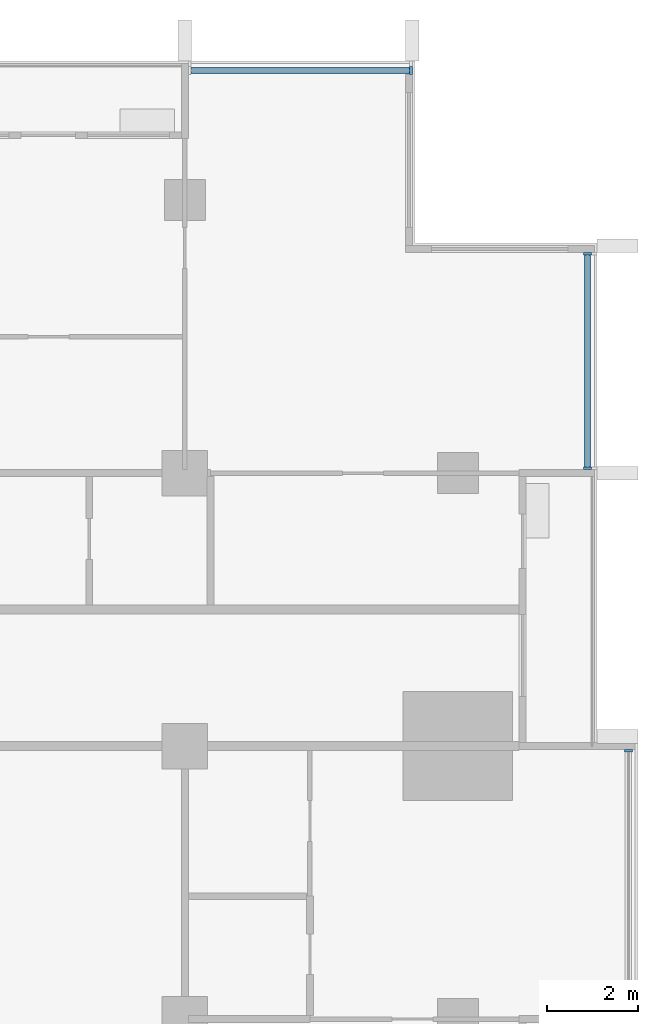
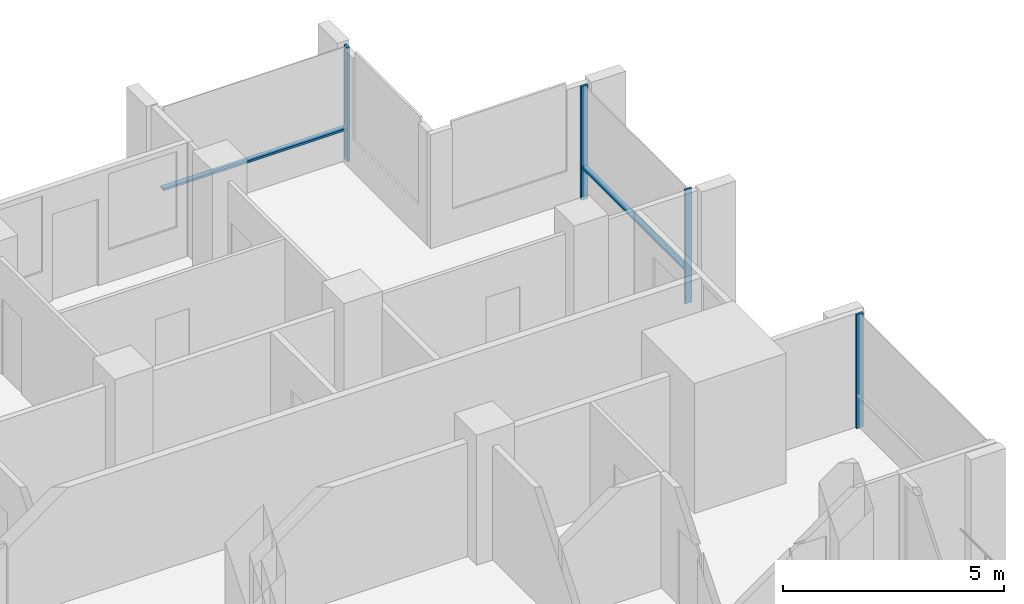
# One storey, part 5 of 17: 6 members, 3 elements without a shape of their own.
"""IFC4 building model written with IfcOpenShell, lengths in metres."""

import ifcopenshell
import ifcopenshell.guid

model = None  # the IFC model being written
_history = None  # IfcOwnerHistory: only IFC2X3 demands one
_inside = {}  # id of a spatial element -> (the spatial element, [elements in it])
_under = {}  # id of a project, library or spatial element -> (it, [spatial elements below it])
_declared = {}  # id of a project -> (the project, [libraries it declares])
_typed = {}  # id of a type object -> (the type object, [elements of that type])
_made_of = {}  # id of a material, layer set ... -> (it, [elements and type objects made of it])


def new_model(schema):
    """Start an empty IFC model of exactly this schema.

    Asked for "IFC4X3", IfcOpenShell would pick the latest addendum, in which some entities
    have other attributes; the version numbers below select the first issue.
    IFC2X3 requires an IfcOwnerHistory on every rooted entity: one is made here for all.
    """
    global model, _history
    if schema == "IFC4X3":
        model = ifcopenshell.file(schema_version=(4, 3, 0, 0))
    else:
        model = ifcopenshell.file(schema=schema)
    _inside.clear()
    _under.clear()
    _declared.clear()
    _typed.clear()
    _made_of.clear()
    _history = None
    if model.schema == "IFC2X3":
        org = make("IfcOrganization", Name="unknown")
        user = make(
            "IfcPersonAndOrganization",
            ThePerson=make("IfcPerson", FamilyName="unknown"),
            TheOrganization=org,
        )
        app = make(
            "IfcApplication",
            ApplicationDeveloper=org,
            Version="unknown",
            ApplicationFullName="unknown",
            ApplicationIdentifier="unknown",
        )
        _history = make(
            "IfcOwnerHistory",
            OwningUser=user,
            OwningApplication=app,
            ChangeAction="ADDED",
            CreationDate=0,
        )
    return model


def make(cls, **values):
    """One entity of the class cls with the attributes given. An attribute that is None is left unset."""
    return model.create_entity(
        cls, **{name: value for name, value in values.items() if value is not None}
    )


def rooted(cls, **values):
    """An entity with a GlobalId (a new one), such as an element, a storey or a relation."""
    return make(cls, GlobalId=ifcopenshell.guid.new(), OwnerHistory=_history, **values)


def si_unit(unit_type, name, prefix=None):
    """IfcSIUnit, for example si_unit("LENGTHUNIT", "METRE", prefix="MILLI")."""
    return make("IfcSIUnit", UnitType=unit_type, Prefix=prefix, Name=name)


def assignment(units):
    """IfcUnitAssignment: the units of a project."""
    return None if units is None else make("IfcUnitAssignment", Units=units)


def point(xyz):
    """IfcCartesianPoint."""
    return None if xyz is None else make("IfcCartesianPoint", Coordinates=xyz)


def direction(xyz):
    """IfcDirection."""
    return None if xyz is None else make("IfcDirection", DirectionRatios=xyz)


def frame(location, z_axis=None, x_axis=None):
    """IfcAxis2Placement3D, a coordinate frame: its origin and axes. An axis left out is left unset."""
    return make(
        "IfcAxis2Placement3D",
        Location=point(location),
        Axis=direction(z_axis),
        RefDirection=direction(x_axis),
    )


def frame_2d(location, x_axis=None):
    """IfcAxis2Placement2D, a coordinate frame in the plane: its origin and x axis."""
    return make(
        "IfcAxis2Placement2D", Location=point(location), RefDirection=direction(x_axis)
    )


def origin():
    """The frame at (0, 0, 0) with its axes left unset."""
    return frame((0.0, 0.0, 0.0))


def origin_2d():
    """The frame at (0, 0) in the plane with its x axis left unset."""
    return frame_2d((0.0, 0.0))


def place(relative_to, where):
    """IfcLocalPlacement: puts the frame where relative to a parent placement (None: the world)."""
    return make(
        "IfcLocalPlacement", PlacementRelTo=relative_to, RelativePlacement=where
    )


def context(
    kind, dimensions, precision=None, world=None, true_north=None, identifier=None
):
    """IfcGeometricRepresentationContext, for example the 3D "Model" context."""
    return make(
        "IfcGeometricRepresentationContext",
        ContextIdentifier=identifier,
        ContextType=kind,
        CoordinateSpaceDimension=dimensions,
        Precision=precision,
        WorldCoordinateSystem=world,
        TrueNorth=true_north,
    )


def subcontext(parent, identifier, kind, view, scale=None):
    """IfcGeometricRepresentationSubContext, for example "Body" below "Model"."""
    return make(
        "IfcGeometricRepresentationSubContext",
        ContextIdentifier=identifier,
        ContextType=kind,
        ParentContext=parent,
        TargetScale=scale,
        TargetView=view,
    )


def project(units=None, contexts=None):
    """IfcProject with its units and contexts."""
    return rooted(
        "IfcProject",
        Name="project",
        RepresentationContexts=contexts,
        UnitsInContext=assignment(units),
    )


def spatial(cls, under=None, at=None, **own):
    """A site, building, storey or space (cls), placed at a placement, below another one or the project."""
    s = rooted(cls, ObjectPlacement=at, **own)
    if under is not None:
        _under.setdefault(under.id(), (under, []))[1].append(s)
    return s


def profile(cls, at=None, kind="AREA", **sizes):
    """A parametric profile (cls). Its sizes go by their IFC names, for example OverallWidth=200.0."""
    return make(cls, ProfileType=kind, Position=at, **sizes)


def rectangle(**sizes):
    """IfcRectangleProfileDef."""
    return profile("IfcRectangleProfileDef", **sizes)


def extrude(swept, where, along, depth):
    """IfcExtrudedAreaSolid: the profile swept, set in the frame where, extruded along a direction by depth."""
    return make(
        "IfcExtrudedAreaSolid",
        SweptArea=swept,
        Position=where,
        ExtrudedDirection=direction(along),
        Depth=depth,
    )


def shape(context_of_items, identifier, shape_type, items):
    """IfcShapeRepresentation: the items that make up one representation, for example the "Body"."""
    return make(
        "IfcShapeRepresentation",
        ContextOfItems=context_of_items,
        RepresentationIdentifier=identifier,
        RepresentationType=shape_type,
        Items=items,
    )


def material(Name=None, Category=None):
    """IfcMaterial."""
    return make("IfcMaterial", Name=Name, Category=Category)


def material_profile(
    of_material, cross_section, Name=None, Category=None, Priority=None
):
    """IfcMaterialProfile: a cross section and its material."""
    return make(
        "IfcMaterialProfile",
        Name=Name,
        Material=of_material,
        Profile=cross_section,
        Priority=Priority,
        Category=Category,
    )


def profile_set(profiles, Name=None, composite=None):
    """IfcMaterialProfileSet."""
    return make(
        "IfcMaterialProfileSet",
        Name=Name,
        MaterialProfiles=profiles,
        CompositeProfile=composite,
    )


def made_of(thing, what):
    """Note that an element or type object is made of a material, layer set ...; save() writes the relation."""
    if what is not None:
        _made_of.setdefault(what.id(), (what, []))[1].append(thing)
    return thing


def type_object(cls, material=None, **own):
    """A type object (cls), such as IfcWallType, which elements share."""
    return made_of(rooted(cls, **own), material)


def element(
    cls,
    number,
    at=None,
    inside=None,
    cuts=None,
    type_object=None,
    material=None,
    context=None,
    identifier="Body",
    shape_type=None,
    held_by="IfcProductDefinitionShape",
    body=None,
    shapes=None,
    **own,
):
    """One element of the class cls, such as IfcWall. Its Tag is "e" and its number.

    at: its placement. inside: the storey or other place that contains it. cuts: it is an
    opening in that element (IfcRelVoidsElement). A single representation is given by context,
    identifier, shape_type and body (its items); several are given by shapes. held_by: the class
    of the entity that holds the representations. save() writes the other relations.
    """
    e = rooted(cls, Tag="e%d" % number, ObjectPlacement=at, **own)
    if body is not None:
        shapes = [shape(context, identifier, shape_type, body)]
    if shapes is not None:
        e.Representation = make(held_by, Representations=shapes)
    if inside is not None:
        _inside.setdefault(inside.id(), (inside, []))[1].append(e)
    if cuts is not None:
        rooted(
            "IfcRelVoidsElement", RelatingBuildingElement=cuts, RelatedOpeningElement=e
        )
    if type_object is not None:
        _typed.setdefault(type_object.id(), (type_object, []))[1].append(e)
    return made_of(e, material)


def aggregate(whole, parts):
    """IfcRelAggregates: a whole, such as a stair, and the parts it consists of."""
    return rooted("IfcRelAggregates", RelatingObject=whole, RelatedObjects=parts)


def save(model, path):
    """Write the relations noted so far, then the file.

    IfcRelAggregates (storeys below a building ...), IfcRelContainedInSpatialStructure (elements
    in a storey), IfcRelDefinesByType, IfcRelAssociatesMaterial and IfcRelDeclares: one each for
    every whole, place, type object, material and project.
    """
    for whole, parts in _under.values():
        aggregate(whole, parts)
    for where, things in _inside.values():
        rooted(
            "IfcRelContainedInSpatialStructure",
            RelatedElements=things,
            RelatingStructure=where,
        )
    for kind, things in _typed.values():
        rooted("IfcRelDefinesByType", RelatedObjects=things, RelatingType=kind)
    for what, things in _made_of.values():
        rooted("IfcRelAssociatesMaterial", RelatedObjects=things, RelatingMaterial=what)
    for by, libraries in _declared.values():
        rooted("IfcRelDeclares", RelatingContext=by, RelatedDefinitions=libraries)
    model.write(path)


model = new_model("IFC4")

# Units and contexts
model_context = context("Model", 3, precision=1e-05, world=origin(), true_north=direction((0.0, 1.0)))
body_context = subcontext(model_context, "Body", "Model", "MODEL_VIEW")
ifc_project = project(units=[si_unit("LENGTHUNIT", "METRE"), si_unit("AREAUNIT", "SQUARE_METRE"), si_unit("VOLUMEUNIT", "CUBIC_METRE"), si_unit("PLANEANGLEUNIT", "RADIAN"), si_unit("MASSUNIT", "GRAM", prefix="KILO")], contexts=[model_context])

# Site, building, storey
site_placement = place(None, origin())
site = spatial("IfcSite", under=ifc_project, at=site_placement, CompositionType="ELEMENT")
building_placement = place(site_placement, origin())
building = spatial("IfcBuilding", under=site, at=building_placement, Name="Finial Court Residences", CompositionType="ELEMENT")
storey_placement = place(building_placement, frame((0.0, 0.0, 196.10009765625)))
storey = spatial("IfcBuildingStorey", under=building, at=storey_placement, Name="L49", CompositionType="ELEMENT", Elevation=196.10009765625)

# Curtain wall, member
ifc_material = material(Name="Bronze anodised aluminium", Category="aluminium")
curtain_wall_type = type_object("IfcCurtainWallType", Name="Unitised curtain wall, upper zones", PredefinedType="NOTDEFINED", material=ifc_material)
curtain_wall_1_placement = place(storey_placement, origin())
curtain_wall_1 = element("IfcCurtainWall", 1, at=curtain_wall_1_placement, inside=storey, type_object=curtain_wall_type, Name="E-L49-CW-N3", PredefinedType="NOTDEFINED")
ifc_material_profile_1 = material_profile(ifc_material, rectangle(XDim=0.175048828125, YDim=0.06005859375, at=origin_2d()), Name="CW2 mullion 60 x 175")
ifc_profile_set_1 = profile_set([ifc_material_profile_1], Name="Bronze anodised aluminium")
member_type_1 = type_object("IfcMemberType", Name="CW2 mullion 60 x 175", PredefinedType="MULLION", material=ifc_profile_set_1)
member_1_placement = place(storey_placement, frame((15.469970703125, 22.35009765625, 0.0), z_axis=(0.0, 0.0, 1.0), x_axis=(0.0, 1.0, 0.0)))
member_1 = element("IfcMember", 2, at=member_1_placement, type_object=member_type_1, Name="CW2 mullion 2", PredefinedType="MULLION", context=body_context, shape_type="SweptSolid", body=[
    extrude(rectangle(XDim=0.175048828125, YDim=0.06005859375, at=origin_2d()), origin(), (0.0, 0.0, 1.0), 3.14990234375),
])

curtain_wall_2_placement = place(storey_placement, origin())
curtain_wall_2 = element("IfcCurtainWall", 3, at=curtain_wall_2_placement, inside=storey, type_object=curtain_wall_type, Name="E-L49-CW-E5", PredefinedType="NOTDEFINED")
member_2_placement = place(storey_placement, frame((20.25, 7.39501953125, 0.0), z_axis=(0.0, 0.0, 1.0), x_axis=(-1.0, 0.0, 0.0)))
member_2 = element("IfcMember", 4, at=member_2_placement, type_object=member_type_1, Name="CW2 mullion 2", PredefinedType="MULLION", context=body_context, shape_type="SweptSolid", body=[
    extrude(rectangle(XDim=0.175048828125, YDim=0.06005859375, at=origin_2d()), origin(), (0.0, 0.0, 1.0), 3.14990234375),
])
aggregate(curtain_wall_2, [member_2])

# Curtain wall, members
curtain_wall_3_placement = place(storey_placement, origin())
curtain_wall_3 = element("IfcCurtainWall", 5, at=curtain_wall_3_placement, inside=storey, type_object=curtain_wall_type, Name="E-L49-CW-E6", PredefinedType="NOTDEFINED")
member_3_placement = place(storey_placement, frame((19.35009765625, 13.60498046875, 0.0), z_axis=(0.0, 0.0, 1.0), x_axis=(-1.0, 0.0, 0.0)))
member_3 = element("IfcMember", 6, at=member_3_placement, type_object=member_type_1, Name="CW2 mullion 1", PredefinedType="MULLION", context=body_context, shape_type="SweptSolid", body=[
    extrude(rectangle(XDim=0.175048828125, YDim=0.06005859375, at=origin_2d()), origin(), (0.0, 0.0, 1.0), 3.14990234375),
])
member_4_placement = place(storey_placement, frame((19.35009765625, 18.320068359375, 0.0), z_axis=(0.0, 0.0, 1.0), x_axis=(-1.0, 0.0, 0.0)))
member_4 = element("IfcMember", 7, at=member_4_placement, type_object=member_type_1, Name="CW2 mullion 2", PredefinedType="MULLION", context=body_context, shape_type="SweptSolid", body=[
    extrude(rectangle(XDim=0.175048828125, YDim=0.06005859375, at=origin_2d()), origin(), (0.0, 0.0, 1.0), 3.14990234375),
])

# Member
ifc_material_profile_2 = material_profile(ifc_material, rectangle(XDim=0.139892578125, YDim=0.06005859375, at=origin_2d()), Name="CW2 transom 60 x 140")
ifc_profile_set_2 = profile_set([ifc_material_profile_2], Name="Bronze anodised aluminium")
member_type_2 = type_object("IfcMemberType", Name="CW2 transom 60 x 140", PredefinedType="USERDEFINED", material=ifc_profile_set_2)
member_5_placement = place(storey_placement, frame((10.635009765625, 22.35009765625, 0.89990234375), z_axis=(1.0, 0.0, 0.0), x_axis=(0.0, 1.0, 0.0)))
member_5 = element("IfcMember", 8, at=member_5_placement, type_object=member_type_2, Name="CW2 transom 1.1", ObjectType="TRANSOM", PredefinedType="USERDEFINED", context=body_context, shape_type="SweptSolid", body=[
    extrude(rectangle(XDim=0.139892578125, YDim=0.06005859375, at=origin_2d()), origin(), (0.0, 0.0, 1.0), 4.804931640625),
])

aggregate(curtain_wall_1, [member_1, member_5])

member_6_placement = place(storey_placement, frame((19.35009765625, 13.635009765625, 0.89990234375), z_axis=(0.0, 1.0, 0.0), x_axis=(-1.0, 0.0, 0.0)))
member_6 = element("IfcMember", 9, at=member_6_placement, type_object=member_type_2, Name="CW2 transom 1.1", ObjectType="TRANSOM", PredefinedType="USERDEFINED", context=body_context, shape_type="SweptSolid", body=[
    extrude(rectangle(XDim=0.139892578125, YDim=0.06005859375, at=origin_2d()), origin(), (0.0, 0.0, 1.0), 4.655029296875),
])

aggregate(curtain_wall_3, [member_3, member_4, member_6])

save(model, "model.ifc")
